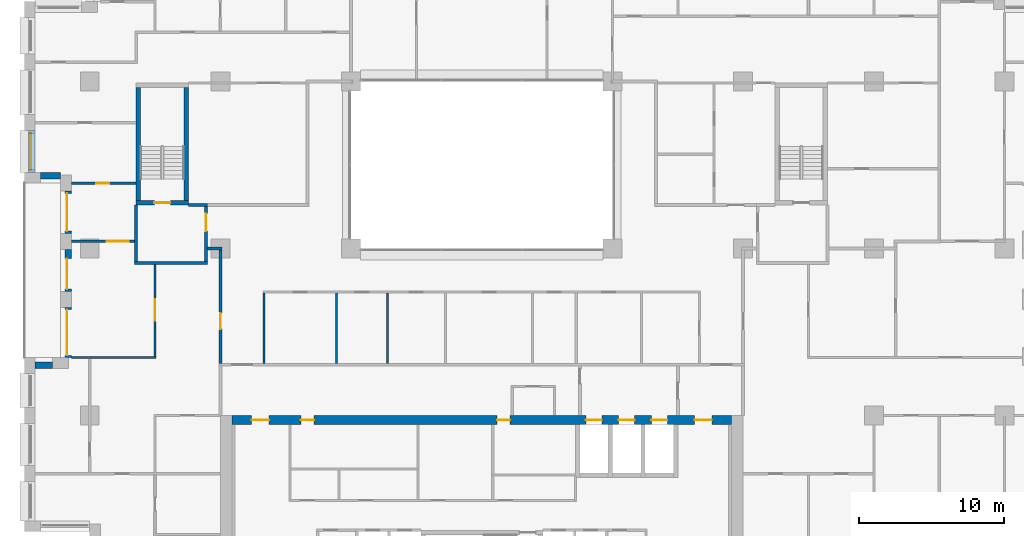
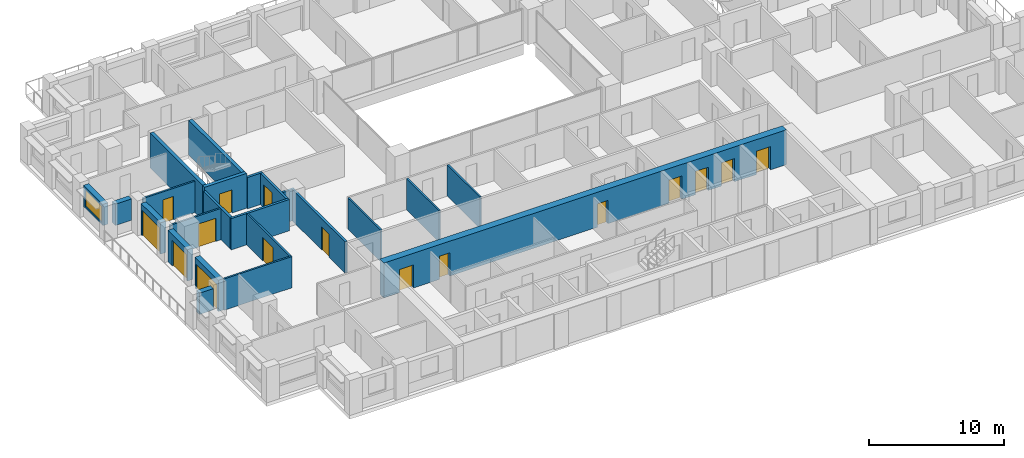
# One storey, part 9 of 16: 23 walls, 16 doors, 1 window, 17 openings.
"""IFC4 building model written with IfcOpenShell, lengths in metres."""

from ifc_helpers import new_model, si_unit, direction, frame, frame_2d, origin, place, context, subcontext, project, spatial, rectangle, extrude, material, layer, layer_set, type_object, element, fill, save


model = new_model("IFC4")

# Units and contexts
model_context = context("Model", 3, precision=1e-05, world=origin(), true_north=direction((0.0, 1.0)))
body_context = subcontext(model_context, "Body", "Model", "MODEL_VIEW")
ifc_project = project(units=[si_unit("LENGTHUNIT", "METRE"), si_unit("AREAUNIT", "SQUARE_METRE"), si_unit("VOLUMEUNIT", "CUBIC_METRE"), si_unit("PLANEANGLEUNIT", "RADIAN"), si_unit("MASSUNIT", "GRAM", prefix="KILO")], contexts=[model_context])

# Site, building, storey
site_placement = place(None, origin())
site = spatial("IfcSite", under=ifc_project, at=site_placement, CompositionType="ELEMENT")
building_placement = place(site_placement, origin())
building = spatial("IfcBuilding", under=site, at=building_placement, Name="Brigalow Station Residences", CompositionType="ELEMENT")
storey_placement = place(building_placement, frame((0.0, 0.0, 99.300048828125)))
storey = spatial("IfcBuildingStorey", under=building, at=storey_placement, Name="L28", CompositionType="ELEMENT", Elevation=99.300048828125)

# Wall, opening, window
ifc_material_1 = material(Name="Clay brick masonry", Category="masonry")
ifc_layer_1 = layer(ifc_material_1, 0.449951171875)
ifc_layer_set_1 = layer_set([ifc_layer_1], Name="BRICK INFILL WALL 450")
wall_type_1 = type_object("IfcWallType", Name="BRICK INFILL WALL 450", PredefinedType="SOLIDWALL", material=ifc_layer_set_1)
wall_1_placement = place(storey_placement, frame((5.02490234375, 32.116943359375, 0.89990234375), z_axis=(0.0, 0.0, 1.0), x_axis=(0.0, -1.0, 0.0)))
wall_1 = element("IfcWall", 1, at=wall_1_placement, inside=storey, type_object=wall_type_1, Name="L28/ewall/W-L28-41", PredefinedType="SOLIDWALL", context=body_context, shape_type="SweptSolid", body=[
    extrude(rectangle(XDim=2.866943359375, YDim=0.449951171875, at=frame_2d((1.43359375, 0.0))), origin(), (0.0, 0.0, 1.0), 1.929931640625),
])
opening_1_placement = place(wall_1_placement, frame((0.18359375, 0.0, 0.14990234375)))
opening_1 = element("IfcOpeningElement", 2, at=opening_1_placement, cuts=wall_1, Name="Opening WT-5", PredefinedType="OPENING", context=body_context, shape_type="SweptSolid", body=[
    extrude(rectangle(XDim=2.5, YDim=1.5, at=frame_2d((1.25, 0.75))), frame((0.0, 0.23486328125, 0.0), z_axis=(0.0, -1.0, 0.0), x_axis=(1.0, 0.0, 0.0)), (0.0, 0.0, 1.0), 0.469970703125),
])
ifc_material_2 = material(Name="Anodised aluminium frame with double glazing", Category="aluminium")
window_type = type_object("IfcWindowType", Name="WINDOW 2500x1500", PartitioningType="SINGLE_PANEL", PredefinedType="WINDOW", material=ifc_material_2)
window_placement = place(opening_1_placement, origin())
window = element("IfcWindow", 3, at=window_placement, inside=storey, type_object=window_type, Name="L28/window/W-L28-41", OverallHeight=1.5, OverallWidth=2.5, PartitioningType="SINGLE_PANEL", PredefinedType="WINDOW", context=body_context, shape_type="SweptSolid", body=[
    extrude(rectangle(XDim=2.5, YDim=1.5, at=frame_2d((1.25, 0.75))), frame((0.0, -0.06494140625, 0.0), z_axis=(0.0, -1.0, 0.0), x_axis=(1.0, 0.0, 0.0)), (0.0, 0.0, 1.0), 0.06005859375),
])
fill(opening_1, window)

# Wall
wall_2_placement = place(storey_placement, frame((5.60009765625, 29.02490234375, 0.89990234375), z_axis=(0.0, 0.0, 1.0), x_axis=(1.0, 0.0, 0.0)))
element("IfcWall", 4, at=wall_2_placement, inside=storey, type_object=wall_type_1, Name="L28/ewall/W-L28-42", PredefinedType="SOLIDWALL", context=body_context, shape_type="SweptSolid", body=[
    extrude(rectangle(XDim=1.39990234375, YDim=0.449951171875, at=frame_2d((0.699951171875, 0.0))), origin(), (0.0, 0.0, 1.0), 1.929931640625),
])

# Wall, opening, door
wall_3_placement = place(storey_placement, frame((7.52490234375, 27.949951171875, 0.0), z_axis=(0.0, 0.0, 1.0), x_axis=(0.0, -1.0, 0.0)))
wall_3 = element("IfcWall", 5, at=wall_3_placement, inside=storey, type_object=wall_type_1, Name="L28/ewall/W-L28-43", PredefinedType="SOLIDWALL", context=body_context, shape_type="SweptSolid", body=[
    extrude(rectangle(XDim=2.89990234375, YDim=0.449951171875, at=frame_2d((1.449951171875, 0.0))), origin(), (0.0, 0.0, 1.0), 2.829833984375),
])
opening_2_placement = place(wall_3_placement, frame((0.14990234375, 0.0, 0.0)))
opening_2 = element("IfcOpeningElement", 6, at=opening_2_placement, cuts=wall_3, Name="Opening D-B2600", PredefinedType="OPENING", context=body_context, shape_type="SweptSolid", body=[
    extrude(rectangle(XDim=2.60009765625, YDim=2.300048828125, at=frame_2d((1.300048828125, 1.14990234375))), frame((0.0, 0.23486328125, 0.0), z_axis=(0.0, -1.0, 0.0), x_axis=(1.0, 0.0, 0.0)), (0.0, 0.0, 1.0), 0.469970703125),
])
ifc_material_3 = material(Name="Anodised aluminium frame with double glazing", Category="aluminium")
door_type_1 = type_object("IfcDoorType", Name="BALCONY SLIDING DOOR 2600x2300", OperationType="SLIDING_TO_LEFT", PredefinedType="DOOR", material=ifc_material_3)
door_1_placement = place(opening_2_placement, origin())
door_1 = element("IfcDoor", 7, at=door_1_placement, inside=storey, type_object=door_type_1, Name="L28/balcony-door/W-L28-43", OperationType="SLIDING_TO_LEFT", OverallHeight=2.300048828125, OverallWidth=2.60009765625, PredefinedType="DOOR", context=body_context, shape_type="SweptSolid", body=[
    extrude(rectangle(XDim=2.60009765625, YDim=2.300048828125, at=frame_2d((1.300048828125, 1.14990234375))), frame((0.0, -0.06982421875, 0.0), z_axis=(0.0, -1.0, 0.0), x_axis=(1.0, 0.0, 0.0)), (0.0, 0.0, 1.0), 0.050048828125),
])
fill(opening_2, door_1)

wall_4_placement = place(storey_placement, frame((7.52490234375, 23.949951171875, 0.0), z_axis=(0.0, 0.0, 1.0), x_axis=(0.0, -1.0, 0.0)))
wall_4 = element("IfcWall", 8, at=wall_4_placement, inside=storey, type_object=wall_type_1, Name="L28/ewall/W-L28-44", PredefinedType="SOLIDWALL", context=body_context, shape_type="SweptSolid", body=[
    extrude(rectangle(XDim=2.89990234375, YDim=0.449951171875, at=frame_2d((1.449951171875, 0.0))), origin(), (0.0, 0.0, 1.0), 2.829833984375),
])
opening_3_placement = place(wall_4_placement, frame((0.635009765625, 0.0, 0.0)))
opening_3 = element("IfcOpeningElement", 9, at=opening_3_placement, cuts=wall_4, Name="Opening D-B2100", PredefinedType="OPENING", context=body_context, shape_type="SweptSolid", body=[
    extrude(rectangle(XDim=2.10009765625, YDim=2.300048828125, at=frame_2d((1.050048828125, 1.14990234375))), frame((0.0, 0.23486328125, 0.0), z_axis=(0.0, -1.0, 0.0), x_axis=(1.0, 0.0, 0.0)), (0.0, 0.0, 1.0), 0.469970703125),
])
ifc_material_4 = material(Name="Anodised aluminium frame with double glazing", Category="aluminium")
door_type_2 = type_object("IfcDoorType", Name="BALCONY SLIDING DOOR 2100x2300", OperationType="SLIDING_TO_LEFT", PredefinedType="DOOR", material=ifc_material_4)
door_2_placement = place(opening_3_placement, origin())
door_2 = element("IfcDoor", 10, at=door_2_placement, inside=storey, type_object=door_type_2, Name="L28/balcony-door/W-L28-44", OperationType="SLIDING_TO_LEFT", OverallHeight=2.300048828125, OverallWidth=2.10009765625, PredefinedType="DOOR", context=body_context, shape_type="SweptSolid", body=[
    extrude(rectangle(XDim=2.10009765625, YDim=2.300048828125, at=frame_2d((1.050048828125, 1.14990234375))), frame((0.0, -0.06982421875, 0.0), z_axis=(0.0, -1.0, 0.0), x_axis=(1.0, 0.0, 0.0)), (0.0, 0.0, 1.0), 0.050048828125),
])
fill(opening_3, door_2)

wall_5_placement = place(storey_placement, frame((7.52490234375, 19.949951171875, 0.0), z_axis=(0.0, 0.0, 1.0), x_axis=(0.0, -1.0, 0.0)))
wall_5 = element("IfcWall", 11, at=wall_5_placement, inside=storey, type_object=wall_type_1, Name="L28/ewall/W-L28-45", PredefinedType="SOLIDWALL", context=body_context, shape_type="SweptSolid", body=[
    extrude(rectangle(XDim=3.449951171875, YDim=0.449951171875, at=frame_2d((1.72509765625, 0.0))), origin(), (0.0, 0.0, 1.0), 2.829833984375),
])
opening_4_placement = place(wall_5_placement, frame((0.14990234375, 0.0, 0.0)))
opening_4 = element("IfcOpeningElement", 12, at=opening_4_placement, cuts=wall_5, Name="Opening D-B3150", PredefinedType="OPENING", context=body_context, shape_type="SweptSolid", body=[
    extrude(rectangle(XDim=3.14990234375, YDim=2.300048828125, at=frame_2d((1.574951171875, 1.14990234375))), frame((0.0, 0.23486328125, 0.0), z_axis=(0.0, -1.0, 0.0), x_axis=(1.0, 0.0, 0.0)), (0.0, 0.0, 1.0), 0.469970703125),
])
ifc_material_5 = material(Name="Anodised aluminium frame with double glazing", Category="aluminium")
door_type_3 = type_object("IfcDoorType", Name="BALCONY SLIDING DOOR 3150x2300", OperationType="SLIDING_TO_LEFT", PredefinedType="DOOR", material=ifc_material_5)
door_3_placement = place(opening_4_placement, origin())
door_3 = element("IfcDoor", 13, at=door_3_placement, inside=storey, type_object=door_type_3, Name="L28/balcony-door/W-L28-45", OperationType="SLIDING_TO_LEFT", OverallHeight=2.300048828125, OverallWidth=3.14990234375, PredefinedType="DOOR", context=body_context, shape_type="SweptSolid", body=[
    extrude(rectangle(XDim=3.14990234375, YDim=2.300048828125, at=frame_2d((1.574951171875, 1.14990234375))), frame((0.0, -0.06982421875, 0.0), z_axis=(0.0, -1.0, 0.0), x_axis=(1.0, 0.0, 0.0)), (0.0, 0.0, 1.0), 0.050048828125),
])
fill(opening_4, door_3)

# Wall
wall_6_placement = place(storey_placement, frame((6.449951171875, 15.97509765625, 0.89990234375), z_axis=(0.0, 0.0, 1.0), x_axis=(-1.0, 0.0, 0.0)))
element("IfcWall", 14, at=wall_6_placement, inside=storey, type_object=wall_type_1, Name="L28/ewall/W-L28-46", PredefinedType="SOLIDWALL", context=body_context, shape_type="SweptSolid", body=[
    extrude(rectangle(XDim=1.199951171875, YDim=0.449951171875, at=frame_2d((0.60009765625, 0.0))), origin(), (0.0, 0.0, 1.0), 1.929931640625),
])

# Wall, opening, door
ifc_material_6 = material(Name="Concrete C65", Category="concrete")
ifc_layer_2 = layer(ifc_material_6, 0.300048828125)
ifc_layer_set_2 = layer_set([ifc_layer_2], Name="CORE SHEAR WALL 300 C65")
wall_type_2 = type_object("IfcWallType", Name="CORE SHEAR WALL 300 C65", PredefinedType="SHEAR", material=ifc_layer_set_2)
wall_7_placement = place(storey_placement, frame((12.199951171875, 27.14990234375, 0.0), z_axis=(0.0, 0.0, 1.0), x_axis=(1.0, 0.0, 0.0)))
wall_7 = element("IfcWall", 15, at=wall_7_placement, inside=storey, type_object=wall_type_2, Name="CORE WALL ST-S1-S L28", PredefinedType="SHEAR", context=body_context, shape_type="SweptSolid", body=[
    extrude(rectangle(XDim=3.60009765625, YDim=0.300048828125, at=frame_2d((1.800048828125, 0.0))), origin(), (0.0, 0.0, 1.0), 3.14990234375),
])
opening_5_placement = place(wall_7_placement, frame((1.25, 0.0, 0.0)))
opening_5 = element("IfcOpeningElement", 16, at=opening_5_placement, cuts=wall_7, Name="Opening D-5015", PredefinedType="OPENING", context=body_context, shape_type="SweptSolid", body=[
    extrude(rectangle(XDim=1.10009765625, YDim=2.10009765625, at=frame_2d((0.550048828125, 1.050048828125))), frame((0.0, 0.16015625, 0.0), z_axis=(0.0, -1.0, 0.0), x_axis=(1.0, 0.0, 0.0)), (0.0, 0.0, 1.0), 0.320068359375),
])
ifc_material_7 = material(Name="Steel fire door leaf in steel frame", Category="steel")
door_type_4 = type_object("IfcDoorType", Name="STAIR DOOR 1100 x 2100 FD60S", OperationType="SINGLE_SWING_LEFT", PredefinedType="DOOR", material=ifc_material_7)
door_4_placement = place(opening_5_placement, origin())
door_4 = element("IfcDoor", 17, at=door_4_placement, inside=storey, type_object=door_type_4, Name="D-5015", OperationType="SINGLE_SWING_LEFT", OverallHeight=2.10009765625, OverallWidth=1.10009765625, PredefinedType="DOOR", context=body_context, shape_type="SweptSolid", body=[
    extrude(rectangle(XDim=1.10009765625, YDim=2.10009765625, at=frame_2d((0.550048828125, 1.050048828125))), frame((0.0, 0.02490234375, 0.0), z_axis=(0.0, -1.0, 0.0), x_axis=(1.0, 0.0, 0.0)), (0.0, 0.0, 1.0), 0.050048828125),
])
fill(opening_5, door_4)

# Walls
for number, where, z_axis, x_axis, name in (
    (18, (12.35009765625, 27.300048828125, 0.0), (0.0, 0.0, 1.0), (0.0, 1.0, 0.0), "CORE WALL ST-S1-W L28"),
    (19, (15.64990234375, 27.300048828125, 0.0), (0.0, 0.0, 1.0), (0.0, 1.0, 0.0), "CORE WALL ST-S1-E L28"),
):
    element("IfcWall", number, at=place(storey_placement, frame(where, z_axis=z_axis, x_axis=x_axis)), inside=storey, type_object=wall_type_2, Name=name, PredefinedType="SHEAR", context=body_context, shape_type="SweptSolid", body=[
        extrude(rectangle(XDim=7.800048828125, YDim=0.300048828125, at=frame_2d((3.89990234375, 0.0))), origin(), (0.0, 0.0, 1.0), 3.14990234375),
    ])

# Wall, openings, doors
ifc_material_8 = material(Name="Concrete C65", Category="concrete")
ifc_layer_3 = layer(ifc_material_8, 0.60009765625)
ifc_layer_set_3 = layer_set([ifc_layer_3], Name="CORE SHEAR WALL 600 C65")
wall_type_3 = type_object("IfcWallType", Name="CORE SHEAR WALL 600 C65", PredefinedType="SHEAR", material=ifc_layer_set_3)
wall_8_placement = place(storey_placement, frame((18.800048828125, 12.199951171875, 0.0), z_axis=(0.0, 0.0, 1.0), x_axis=(1.0, 0.0, 0.0)))
wall_8 = element("IfcWall", 20, at=wall_8_placement, inside=storey, type_object=wall_type_3, Name="CORE WALL OUT-N L28", PredefinedType="SHEAR", context=body_context, shape_type="SweptSolid", body=[
    extrude(rectangle(XDim=34.39990234375, YDim=0.60009765625, at=frame_2d((17.199951171875, 0.0))), origin(), (0.0, 0.0, 1.0), 3.14990234375),
])
opening_6_placement = place(wall_8_placement, frame((24.375, 0.0, 0.0)))
opening_6 = element("IfcOpeningElement", 21, at=opening_6_placement, cuts=wall_8, Name="Opening LD-LF1", PredefinedType="OPENING", context=body_context, shape_type="SweptSolid", body=[
    extrude(rectangle(XDim=1.10009765625, YDim=2.10009765625, at=frame_2d((0.550048828125, 1.050048828125))), frame((0.0, 0.31005859375, 0.0), z_axis=(0.0, -1.0, 0.0), x_axis=(1.0, 0.0, 0.0)), (0.0, 0.0, 1.0), 0.6201171875),
])
opening_7_placement = place(wall_8_placement, frame((26.625, 0.0, 0.0)))
opening_7 = element("IfcOpeningElement", 22, at=opening_7_placement, cuts=wall_8, Name="Opening LD-LF2", PredefinedType="OPENING", context=body_context, shape_type="SweptSolid", body=[
    extrude(rectangle(XDim=1.10009765625, YDim=2.10009765625, at=frame_2d((0.550048828125, 1.050048828125))), frame((0.0, 0.31005859375, 0.0), z_axis=(0.0, -1.0, 0.0), x_axis=(1.0, 0.0, 0.0)), (0.0, 0.0, 1.0), 0.6201171875),
])
opening_8_placement = place(wall_8_placement, frame((28.875, 0.0, 0.0)))
opening_8 = element("IfcOpeningElement", 23, at=opening_8_placement, cuts=wall_8, Name="Opening LD-LG1", PredefinedType="OPENING", context=body_context, shape_type="SweptSolid", body=[
    extrude(rectangle(XDim=1.10009765625, YDim=2.10009765625, at=frame_2d((0.550048828125, 1.050048828125))), frame((0.0, 0.31005859375, 0.0), z_axis=(0.0, -1.0, 0.0), x_axis=(1.0, 0.0, 0.0)), (0.0, 0.0, 1.0), 0.6201171875),
])
opening_9_placement = place(wall_8_placement, frame((4.75, 0.0, 0.0)))
opening_9 = element("IfcOpeningElement", 24, at=opening_9_placement, cuts=wall_8, Name="Opening D-5118", PredefinedType="OPENING", context=body_context, shape_type="SweptSolid", body=[
    extrude(rectangle(XDim=0.89990234375, YDim=2.10009765625, at=frame_2d((0.449951171875, 1.050048828125))), frame((0.0, 0.31005859375, 0.0), z_axis=(0.0, -1.0, 0.0), x_axis=(1.0, 0.0, 0.0)), (0.0, 0.0, 1.0), 0.6201171875),
])
opening_10_placement = place(wall_8_placement, frame((18.25, 0.0, 0.0)))
opening_10 = element("IfcOpeningElement", 25, at=opening_10_placement, cuts=wall_8, Name="Opening D-5119", PredefinedType="OPENING", context=body_context, shape_type="SweptSolid", body=[
    extrude(rectangle(XDim=0.89990234375, YDim=2.10009765625, at=frame_2d((0.449951171875, 1.050048828125))), frame((0.0, 0.31005859375, 0.0), z_axis=(0.0, -1.0, 0.0), x_axis=(1.0, 0.0, 0.0)), (0.0, 0.0, 1.0), 0.6201171875),
])
opening_11_placement = place(wall_8_placement, frame((1.35009765625, 0.0, 0.0)))
opening_11 = element("IfcOpeningElement", 26, at=opening_11_placement, cuts=wall_8, Name="Opening D-5011", PredefinedType="OPENING", context=body_context, shape_type="SweptSolid", body=[
    extrude(rectangle(XDim=1.199951171875, YDim=2.10009765625, at=frame_2d((0.60009765625, 1.050048828125))), frame((0.0, 0.31005859375, 0.0), z_axis=(0.0, -1.0, 0.0), x_axis=(1.0, 0.0, 0.0)), (0.0, 0.0, 1.0), 0.6201171875),
])
opening_12_placement = place(wall_8_placement, frame((31.85009765625, 0.0, 0.0)))
opening_12 = element("IfcOpeningElement", 27, at=opening_12_placement, cuts=wall_8, Name="Opening D-5012", PredefinedType="OPENING", context=body_context, shape_type="SweptSolid", body=[
    extrude(rectangle(XDim=1.199951171875, YDim=2.10009765625, at=frame_2d((0.60009765625, 1.050048828125))), frame((0.0, 0.31005859375, 0.0), z_axis=(0.0, -1.0, 0.0), x_axis=(1.0, 0.0, 0.0)), (0.0, 0.0, 1.0), 0.6201171875),
])
ifc_material_9 = material(Name="Steel fire door leaf in steel frame", Category="steel")
door_type_5 = type_object("IfcDoorType", Name="CORE CORRIDOR DOOR 1200 x 2100 FD60S", OperationType="SINGLE_SWING_LEFT", PredefinedType="DOOR", material=ifc_material_9)
door_5_placement = place(opening_11_placement, frame((1.199951171875, 0.0, 0.0), z_axis=(0.0, 0.0, 1.0), x_axis=(-1.0, 0.0, 0.0)))
door_5 = element("IfcDoor", 28, at=door_5_placement, inside=storey, type_object=door_type_5, Name="D-5011", OperationType="SINGLE_SWING_LEFT", OverallHeight=2.10009765625, OverallWidth=1.199951171875, PredefinedType="DOOR", context=body_context, shape_type="SweptSolid", body=[
    extrude(rectangle(XDim=1.199951171875, YDim=2.10009765625, at=frame_2d((0.60009765625, 1.050048828125))), frame((0.0, 0.02490234375, 0.0), z_axis=(0.0, -1.0, 0.0), x_axis=(1.0, 0.0, 0.0)), (0.0, 0.0, 1.0), 0.050048828125),
])
fill(opening_11, door_5)
door_6_placement = place(opening_12_placement, frame((1.199951171875, 0.0, 0.0), z_axis=(0.0, 0.0, 1.0), x_axis=(-1.0, 0.0, 0.0)))
door_6 = element("IfcDoor", 29, at=door_6_placement, inside=storey, type_object=door_type_5, Name="D-5012", OperationType="SINGLE_SWING_LEFT", OverallHeight=2.10009765625, OverallWidth=1.199951171875, PredefinedType="DOOR", context=body_context, shape_type="SweptSolid", body=[
    extrude(rectangle(XDim=1.199951171875, YDim=2.10009765625, at=frame_2d((0.60009765625, 1.050048828125))), frame((0.0, 0.02490234375, 0.0), z_axis=(0.0, -1.0, 0.0), x_axis=(1.0, 0.0, 0.0)), (0.0, 0.0, 1.0), 0.050048828125),
])
fill(opening_12, door_6)
ifc_material_10 = material(Name="Stainless steel sliding door leaves", Category="steel")
door_type_6 = type_object("IfcDoorType", Name="LIFT LANDING DOOR 1100 x 2100", OperationType="DOUBLE_DOOR_SLIDING", PredefinedType="DOOR", material=ifc_material_10)
door_7_placement = place(opening_6_placement, origin())
door_7 = element("IfcDoor", 30, at=door_7_placement, inside=storey, type_object=door_type_6, Name="LANDING DOOR LF1", OperationType="DOUBLE_DOOR_SLIDING", OverallHeight=2.10009765625, OverallWidth=1.10009765625, PredefinedType="DOOR", context=body_context, shape_type="SweptSolid", body=[
    extrude(rectangle(XDim=1.10009765625, YDim=2.10009765625, at=frame_2d((0.550048828125, 1.050048828125))), frame((0.0, 0.02490234375, 0.0), z_axis=(0.0, -1.0, 0.0), x_axis=(1.0, 0.0, 0.0)), (0.0, 0.0, 1.0), 0.050048828125),
])
fill(opening_6, door_7)
door_8_placement = place(opening_7_placement, origin())
door_8 = element("IfcDoor", 31, at=door_8_placement, inside=storey, type_object=door_type_6, Name="LANDING DOOR LF2", OperationType="DOUBLE_DOOR_SLIDING", OverallHeight=2.10009765625, OverallWidth=1.10009765625, PredefinedType="DOOR", context=body_context, shape_type="SweptSolid", body=[
    extrude(rectangle(XDim=1.10009765625, YDim=2.10009765625, at=frame_2d((0.550048828125, 1.050048828125))), frame((0.0, 0.02490234375, 0.0), z_axis=(0.0, -1.0, 0.0), x_axis=(1.0, 0.0, 0.0)), (0.0, 0.0, 1.0), 0.050048828125),
])
fill(opening_7, door_8)
door_9_placement = place(opening_8_placement, origin())
door_9 = element("IfcDoor", 32, at=door_9_placement, inside=storey, type_object=door_type_6, Name="LANDING DOOR LG1", OperationType="DOUBLE_DOOR_SLIDING", OverallHeight=2.10009765625, OverallWidth=1.10009765625, PredefinedType="DOOR", context=body_context, shape_type="SweptSolid", body=[
    extrude(rectangle(XDim=1.10009765625, YDim=2.10009765625, at=frame_2d((0.550048828125, 1.050048828125))), frame((0.0, 0.02490234375, 0.0), z_axis=(0.0, -1.0, 0.0), x_axis=(1.0, 0.0, 0.0)), (0.0, 0.0, 1.0), 0.050048828125),
])
fill(opening_8, door_9)
ifc_material_11 = material(Name="Steel door leaf in steel frame", Category="steel")
door_type_7 = type_object("IfcDoorType", Name="SERVICE ROOM DOOR 900 x 2100 FD60", OperationType="SINGLE_SWING_LEFT", PredefinedType="DOOR", material=ifc_material_11)
door_10_placement = place(opening_9_placement, frame((0.89990234375, 0.0, 0.0), z_axis=(0.0, 0.0, 1.0), x_axis=(-1.0, 0.0, 0.0)))
door_10 = element("IfcDoor", 33, at=door_10_placement, inside=storey, type_object=door_type_7, Name="D-5118", OperationType="SINGLE_SWING_RIGHT", OverallHeight=2.10009765625, OverallWidth=0.89990234375, PredefinedType="DOOR", context=body_context, shape_type="SweptSolid", body=[
    extrude(rectangle(XDim=0.89990234375, YDim=2.10009765625, at=frame_2d((0.449951171875, 1.050048828125))), frame((0.0, 0.02490234375, 0.0), z_axis=(0.0, -1.0, 0.0), x_axis=(1.0, 0.0, 0.0)), (0.0, 0.0, 1.0), 0.050048828125),
])
fill(opening_9, door_10)
door_11_placement = place(opening_10_placement, frame((0.89990234375, 0.0, 0.0), z_axis=(0.0, 0.0, 1.0), x_axis=(-1.0, 0.0, 0.0)))
door_11 = element("IfcDoor", 34, at=door_11_placement, inside=storey, type_object=door_type_7, Name="D-5119", OperationType="SINGLE_SWING_RIGHT", OverallHeight=2.10009765625, OverallWidth=0.89990234375, PredefinedType="DOOR", context=body_context, shape_type="SweptSolid", body=[
    extrude(rectangle(XDim=0.89990234375, YDim=2.10009765625, at=frame_2d((0.449951171875, 1.050048828125))), frame((0.0, 0.02490234375, 0.0), z_axis=(0.0, -1.0, 0.0), x_axis=(1.0, 0.0, 0.0)), (0.0, 0.0, 1.0), 0.050048828125),
])
fill(opening_10, door_11)

# Walls
ifc_material_12 = material(Name="Concrete blockwork", Category="masonry")
ifc_layer_4 = layer(ifc_material_12, 0.199951171875)
ifc_layer_set_4 = layer_set([ifc_layer_4], Name="FIRE RATED CORE PARTITION 200")
wall_type_4 = type_object("IfcWallType", Name="FIRE RATED CORE PARTITION 200", PredefinedType="PARTITIONING", material=ifc_layer_set_4)
wall_9_placement = place(storey_placement, frame((12.10009765625, 23.0, 0.0), z_axis=(0.0, 0.0, 1.0), x_axis=(1.0, 0.0, 0.0)))
element("IfcWall", 35, at=wall_9_placement, inside=storey, type_object=wall_type_4, Name="PW-5023", PredefinedType="PARTITIONING", context=body_context, shape_type="SweptSolid", body=[
    extrude(rectangle(XDim=5.0, YDim=0.199951171875, at=frame_2d((2.5, 0.0))), origin(), (0.0, 0.0, 1.0), 2.829833984375),
])
wall_10_placement = place(storey_placement, frame((15.800048828125, 27.0, 0.0), z_axis=(0.0, 0.0, 1.0), x_axis=(1.0, 0.0, 0.0)))
element("IfcWall", 36, at=wall_10_placement, inside=storey, type_object=wall_type_4, Name="PW-5025", PredefinedType="PARTITIONING", context=body_context, shape_type="SweptSolid", body=[
    extrude(rectangle(XDim=1.300048828125, YDim=0.199951171875, at=frame_2d((0.64990234375, 0.0))), origin(), (0.0, 0.0, 1.0), 2.829833984375),
])
wall_11_placement = place(storey_placement, frame((12.199951171875, 23.10009765625, 0.0), z_axis=(0.0, 0.0, 1.0), x_axis=(0.0, 1.0, 0.0)))
element("IfcWall", 37, at=wall_11_placement, inside=storey, type_object=wall_type_4, Name="PW-5034", PredefinedType="PARTITIONING", context=body_context, shape_type="SweptSolid", body=[
    extrude(rectangle(XDim=3.89990234375, YDim=0.199951171875, at=frame_2d((1.949951171875, 0.0))), origin(), (0.0, 0.0, 1.0), 2.829833984375),
])

# Wall, opening, door
wall_12_placement = place(storey_placement, frame((17.0, 23.10009765625, 0.0), z_axis=(0.0, 0.0, 1.0), x_axis=(0.0, 1.0, 0.0)))
wall_12 = element("IfcWall", 38, at=wall_12_placement, inside=storey, type_object=wall_type_4, Name="PW-5035", PredefinedType="PARTITIONING", context=body_context, shape_type="SweptSolid", body=[
    extrude(rectangle(XDim=3.7998046875, YDim=0.199951171875, at=frame_2d((1.89990234375, 0.0))), origin(), (0.0, 0.0, 1.0), 2.829833984375),
])
opening_13_placement = place(wall_12_placement, frame((2.10009765625, 0.0, 0.0)))
opening_13 = element("IfcOpeningElement", 39, at=opening_13_placement, cuts=wall_12, Name="Opening D-5016", PredefinedType="OPENING", context=body_context, shape_type="SweptSolid", body=[
    extrude(rectangle(XDim=1.199951171875, YDim=2.10009765625, at=frame_2d((0.60009765625, 1.050048828125))), frame((0.0, 0.10986328125, 0.0), z_axis=(0.0, -1.0, 0.0), x_axis=(1.0, 0.0, 0.0)), (0.0, 0.0, 1.0), 0.219970703125),
])
ifc_material_13 = material(Name="Steel fire door leaf in steel frame", Category="steel")
door_type_8 = type_object("IfcDoorType", Name="STAIR LOBBY DOOR 1200 x 2100 FD60S", OperationType="SINGLE_SWING_LEFT", PredefinedType="DOOR", material=ifc_material_13)
door_12_placement = place(opening_13_placement, origin())
door_12 = element("IfcDoor", 40, at=door_12_placement, inside=storey, type_object=door_type_8, Name="D-5016", OperationType="SINGLE_SWING_RIGHT", OverallHeight=2.10009765625, OverallWidth=1.199951171875, PredefinedType="DOOR", context=body_context, shape_type="SweptSolid", body=[
    extrude(rectangle(XDim=1.199951171875, YDim=2.10009765625, at=frame_2d((0.60009765625, 1.050048828125))), frame((0.0, 0.02490234375, 0.0), z_axis=(0.0, -1.0, 0.0), x_axis=(1.0, 0.0, 0.0)), (0.0, 0.0, 1.0), 0.050048828125),
])
fill(opening_13, door_12)

# Wall
ifc_material_14 = material(Name="Plasterboard on steel stud partition", Category="steel")
ifc_layer_5 = layer(ifc_material_14, 0.14990234375)
ifc_layer_set_5 = layer_set([ifc_layer_5], Name="FLAT PARTITION 150")
wall_type_5 = type_object("IfcWallType", Name="FLAT PARTITION 150", PredefinedType="PARTITIONING", material=ifc_layer_set_5)
wall_13_placement = place(storey_placement, frame((7.75, 16.5, 0.0), z_axis=(0.0, 0.0, 1.0), x_axis=(1.0, 0.0, 0.0)))
element("IfcWall", 41, at=wall_13_placement, inside=storey, type_object=wall_type_5, Name="PW-2B14", PredefinedType="PARTITIONING", context=body_context, shape_type="SweptSolid", body=[
    extrude(rectangle(XDim=5.824951171875, YDim=0.14990234375, at=frame_2d((2.91259765625, 0.0))), origin(), (0.0, 0.0, 1.0), 2.829833984375),
])

# Wall, opening, door
wall_14_placement = place(storey_placement, frame((7.75, 24.5, 0.0), z_axis=(0.0, 0.0, 1.0), x_axis=(1.0, 0.0, 0.0)))
wall_14 = element("IfcWall", 42, at=wall_14_placement, inside=storey, type_object=wall_type_5, Name="PW-2B18", PredefinedType="PARTITIONING", context=body_context, shape_type="SweptSolid", body=[
    extrude(rectangle(XDim=4.35009765625, YDim=0.14990234375, at=frame_2d((2.175048828125, 0.0))), origin(), (0.0, 0.0, 1.0), 2.829833984375),
])
opening_14_placement = place(wall_14_placement, frame((2.425048828125, 0.0, 0.0)))
opening_14 = element("IfcOpeningElement", 43, at=opening_14_placement, cuts=wall_14, Name="Opening D-2B10", PredefinedType="OPENING", context=body_context, shape_type="SweptSolid", body=[
    extrude(rectangle(XDim=1.5, YDim=2.10009765625, at=frame_2d((0.75, 1.050048828125))), frame((0.0, 0.0849609375, 0.0), z_axis=(0.0, -1.0, 0.0), x_axis=(1.0, 0.0, 0.0)), (0.0, 0.0, 1.0), 0.169921875),
])
ifc_material_15 = material(Name="Solid-core timber door leaf", Category="wood")
door_type_9 = type_object("IfcDoorType", Name="INTERNAL DOUBLE DOOR 1500 x 2100", OperationType="DOUBLE_DOOR_SINGLE_SWING", PredefinedType="DOOR", material=ifc_material_15)
door_13_placement = place(opening_14_placement, origin())
door_13 = element("IfcDoor", 44, at=door_13_placement, inside=storey, type_object=door_type_9, Name="D-2B10", OperationType="DOUBLE_DOOR_SINGLE_SWING", OverallHeight=2.10009765625, OverallWidth=1.5, PredefinedType="DOOR", context=body_context, shape_type="SweptSolid", body=[
    extrude(rectangle(XDim=1.5, YDim=2.10009765625, at=frame_2d((0.75, 1.050048828125))), frame((0.0, 0.02490234375, 0.0), z_axis=(0.0, -1.0, 0.0), x_axis=(1.0, 0.0, 0.0)), (0.0, 0.0, 1.0), 0.050048828125),
])
fill(opening_14, door_13)

wall_15_placement = place(storey_placement, frame((7.75, 28.5, 0.0), z_axis=(0.0, 0.0, 1.0), x_axis=(1.0, 0.0, 0.0)))
wall_15 = element("IfcWall", 45, at=wall_15_placement, inside=storey, type_object=wall_type_5, Name="PW-2B21", PredefinedType="PARTITIONING", context=body_context, shape_type="SweptSolid", body=[
    extrude(rectangle(XDim=4.449951171875, YDim=0.14990234375, at=frame_2d((2.22509765625, 0.0))), origin(), (0.0, 0.0, 1.0), 2.829833984375),
])
opening_15_placement = place(wall_15_placement, frame((1.699951171875, 0.0, 0.0)))
opening_15 = element("IfcOpeningElement", 46, at=opening_15_placement, cuts=wall_15, Name="Opening D-2B11", PredefinedType="OPENING", context=body_context, shape_type="SweptSolid", body=[
    extrude(rectangle(XDim=0.89990234375, YDim=2.10009765625, at=frame_2d((0.449951171875, 1.050048828125))), frame((0.0, 0.0849609375, 0.0), z_axis=(0.0, -1.0, 0.0), x_axis=(1.0, 0.0, 0.0)), (0.0, 0.0, 1.0), 0.169921875),
])
ifc_material_16 = material(Name="Solid-core timber door leaf", Category="wood")
door_type_10 = type_object("IfcDoorType", Name="INTERNAL DOOR 900 x 2100", OperationType="SINGLE_SWING_LEFT", PredefinedType="DOOR", material=ifc_material_16)
door_14_placement = place(opening_15_placement, frame((0.89990234375, 0.0, 0.0), z_axis=(0.0, 0.0, 1.0), x_axis=(-1.0, 0.0, 0.0)))
door_14 = element("IfcDoor", 47, at=door_14_placement, inside=storey, type_object=door_type_10, Name="D-2B11", OperationType="SINGLE_SWING_RIGHT", OverallHeight=2.10009765625, OverallWidth=0.89990234375, PredefinedType="DOOR", context=body_context, shape_type="SweptSolid", body=[
    extrude(rectangle(XDim=0.89990234375, YDim=2.10009765625, at=frame_2d((0.449951171875, 1.050048828125))), frame((0.0, 0.02490234375, 0.0), z_axis=(0.0, -1.0, 0.0), x_axis=(1.0, 0.0, 0.0)), (0.0, 0.0, 1.0), 0.050048828125),
])
fill(opening_15, door_14)

# Wall
wall_16_placement = place(storey_placement, frame((21.0, 16.10009765625, 0.0), z_axis=(0.0, 0.0, 1.0), x_axis=(0.0, 1.0, 0.0)))
element("IfcWall", 48, at=wall_16_placement, inside=storey, type_object=wall_type_5, Name="PW-2B41", PredefinedType="PARTITIONING", context=body_context, shape_type="SweptSolid", body=[
    extrude(rectangle(XDim=4.824951171875, YDim=0.14990234375, at=frame_2d((2.41259765625, 0.0))), origin(), (0.0, 0.0, 1.0), 2.829833984375),
])

# Wall, opening, door
wall_17_placement = place(storey_placement, frame((13.5, 16.574951171875, 0.0), z_axis=(0.0, 0.0, 1.0), x_axis=(0.0, 1.0, 0.0)))
wall_17 = element("IfcWall", 49, at=wall_17_placement, inside=storey, type_object=wall_type_5, Name="PW-2B47", PredefinedType="PARTITIONING", context=body_context, shape_type="SweptSolid", body=[
    extrude(rectangle(XDim=6.324951171875, YDim=0.14990234375, at=frame_2d((3.16259765625, 0.0))), origin(), (0.0, 0.0, 1.0), 2.829833984375),
])
opening_16_placement = place(wall_17_placement, frame((2.449951171875, 0.0, 0.0)))
opening_16 = element("IfcOpeningElement", 50, at=opening_16_placement, cuts=wall_17, Name="Opening D-2B09", PredefinedType="OPENING", context=body_context, shape_type="SweptSolid", body=[
    extrude(rectangle(XDim=1.5, YDim=2.10009765625, at=frame_2d((0.75, 1.050048828125))), frame((0.0, 0.0849609375, 0.0), z_axis=(0.0, -1.0, 0.0), x_axis=(1.0, 0.0, 0.0)), (0.0, 0.0, 1.0), 0.169921875),
])
door_15_placement = place(opening_16_placement, origin())
door_15 = element("IfcDoor", 51, at=door_15_placement, inside=storey, type_object=door_type_9, Name="D-2B09", OperationType="DOUBLE_DOOR_SINGLE_SWING", OverallHeight=2.10009765625, OverallWidth=1.5, PredefinedType="DOOR", context=body_context, shape_type="SweptSolid", body=[
    extrude(rectangle(XDim=1.5, YDim=2.10009765625, at=frame_2d((0.75, 1.050048828125))), frame((0.0, 0.02490234375, 0.0), z_axis=(0.0, -1.0, 0.0), x_axis=(1.0, 0.0, 0.0)), (0.0, 0.0, 1.0), 0.050048828125),
])
fill(opening_16, door_15)

# Walls
for number, where, z_axis, x_axis, name in (
    (52, (26.0, 16.10009765625, 0.0), (0.0, 0.0, 1.0), (0.0, 1.0, 0.0), "PW-2B69"),
    (53, (29.5, 16.10009765625, 0.0), (0.0, 0.0, 1.0), (0.0, 1.0, 0.0), "PW-2B70"),
):
    element("IfcWall", number, at=place(storey_placement, frame(where, z_axis=z_axis, x_axis=x_axis)), inside=storey, type_object=wall_type_5, Name=name, PredefinedType="PARTITIONING", context=body_context, shape_type="SweptSolid", body=[
        extrude(rectangle(XDim=4.824951171875, YDim=0.14990234375, at=frame_2d((2.41259765625, 0.0))), origin(), (0.0, 0.0, 1.0), 2.829833984375),
    ])
ifc_material_17 = material(Name="Plasterboard on steel stud partition", Category="steel")
ifc_layer_6 = layer(ifc_material_17, 0.199951171875)
ifc_layer_set_6 = layer_set([ifc_layer_6], Name="PARTY AND CORRIDOR WALL 200")
wall_type_6 = type_object("IfcWallType", Name="PARTY AND CORRIDOR WALL 200", PredefinedType="PARTITIONING", material=ifc_layer_set_6)
wall_18_placement = place(storey_placement, frame((17.10009765625, 24.0, 0.0), z_axis=(0.0, 0.0, 1.0), x_axis=(1.0, 0.0, 0.0)))
element("IfcWall", 54, at=wall_18_placement, inside=storey, type_object=wall_type_6, Name="PW-2B02", PredefinedType="PARTITIONING", context=body_context, shape_type="SweptSolid", body=[
    extrude(rectangle(XDim=1.0, YDim=0.199951171875, at=frame_2d((0.5, 0.0))), origin(), (0.0, 0.0, 1.0), 2.829833984375),
])

# Wall, opening, door
wall_19_placement = place(storey_placement, frame((18.0, 16.10009765625, 0.0), z_axis=(0.0, 0.0, 1.0), x_axis=(0.0, 1.0, 0.0)))
wall_19 = element("IfcWall", 55, at=wall_19_placement, inside=storey, type_object=wall_type_6, Name="PW-2B39", PredefinedType="PARTITIONING", context=body_context, shape_type="SweptSolid", body=[
    extrude(rectangle(XDim=7.7998046875, YDim=0.199951171875, at=frame_2d((3.89990234375, 0.0))), origin(), (0.0, 0.0, 1.0), 2.829833984375),
])
opening_17_placement = place(wall_19_placement, frame((2.35009765625, 0.0, 0.0)))
opening_17 = element("IfcOpeningElement", 56, at=opening_17_placement, cuts=wall_19, Name="Opening D-2B03", PredefinedType="OPENING", context=body_context, shape_type="SweptSolid", body=[
    extrude(rectangle(XDim=1.10009765625, YDim=2.10009765625, at=frame_2d((0.550048828125, 1.050048828125))), frame((0.0, 0.10986328125, 0.0), z_axis=(0.0, -1.0, 0.0), x_axis=(1.0, 0.0, 0.0)), (0.0, 0.0, 1.0), 0.219970703125),
])
ifc_material_18 = material(Name="Solid-core timber door leaf", Category="wood")
door_type_11 = type_object("IfcDoorType", Name="FLAT ENTRANCE DOOR 1100 x 2100 FRL -/60/30", OperationType="SINGLE_SWING_LEFT", PredefinedType="DOOR", material=ifc_material_18)
door_16_placement = place(opening_17_placement, origin())
door_16 = element("IfcDoor", 57, at=door_16_placement, inside=storey, type_object=door_type_11, Name="D-2B03", OperationType="SINGLE_SWING_RIGHT", OverallHeight=2.10009765625, OverallWidth=1.10009765625, PredefinedType="DOOR", context=body_context, shape_type="SweptSolid", body=[
    extrude(rectangle(XDim=1.10009765625, YDim=2.10009765625, at=frame_2d((0.550048828125, 1.050048828125))), frame((0.0, 0.02490234375, 0.0), z_axis=(0.0, -1.0, 0.0), x_axis=(1.0, 0.0, 0.0)), (0.0, 0.0, 1.0), 0.050048828125),
])
fill(opening_17, door_16)

save(model, "model.ifc")
